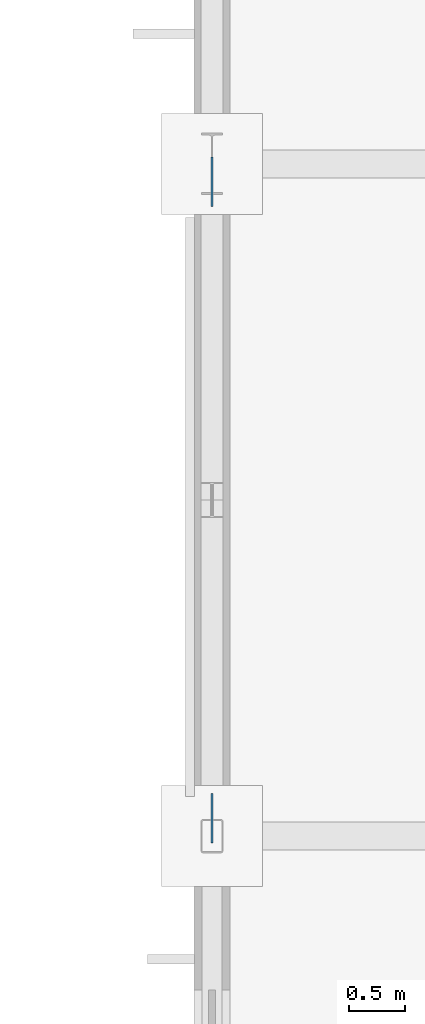
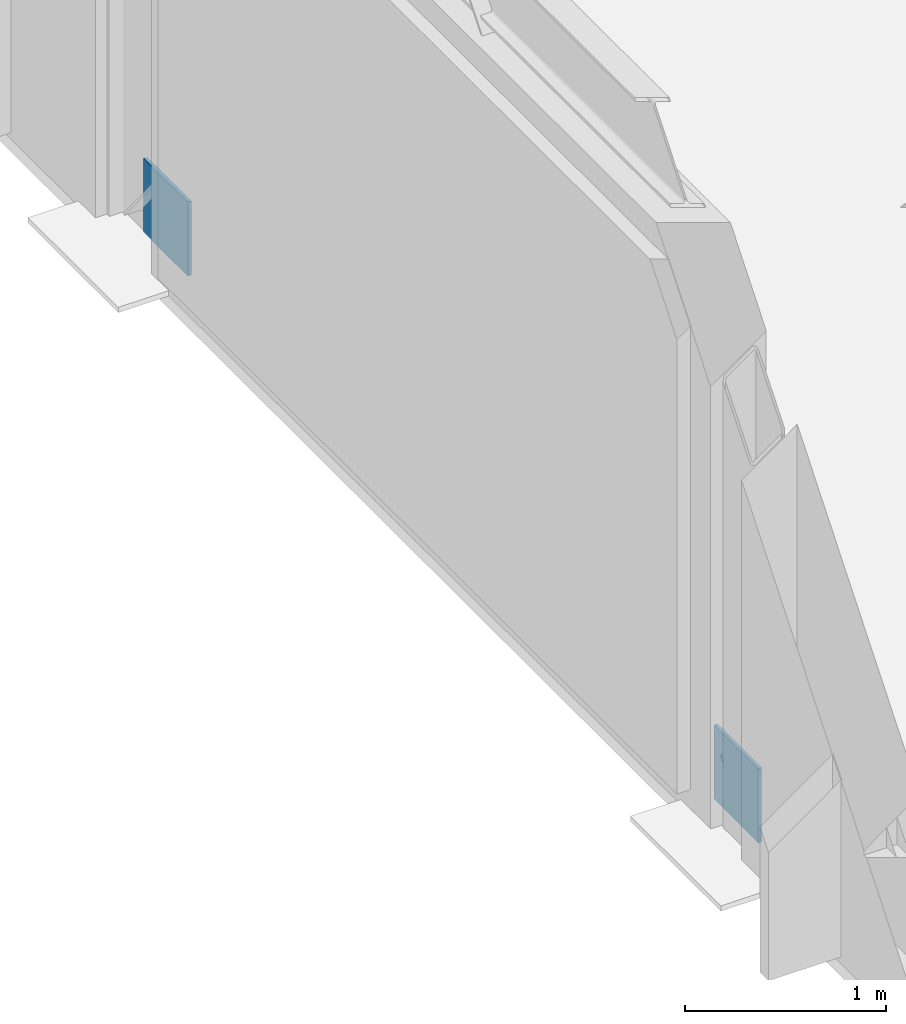
# One storey, part 99 of 116: 2 discrete accessories.
"""IFC4 building model written with IfcOpenShell, lengths in metres."""

from ifc_helpers import new_model, si_unit, direction, frame, origin, origin_2d, place, context, subcontext, project, spatial, rectangle, extrude, material, layer, layer_set, type_object, element, save


model = new_model("IFC4")

# Units and contexts
model_context = context("Model", 3, precision=1e-05, world=origin(), true_north=direction((0.0, 1.0)))
body_context = subcontext(model_context, "Body", "Model", "MODEL_VIEW")
ifc_project = project(units=[si_unit("LENGTHUNIT", "METRE"), si_unit("AREAUNIT", "SQUARE_METRE"), si_unit("VOLUMEUNIT", "CUBIC_METRE"), si_unit("PLANEANGLEUNIT", "RADIAN"), si_unit("MASSUNIT", "GRAM", prefix="KILO")], contexts=[model_context])

# Site, building, storey
site_placement = place(None, origin())
site = spatial("IfcSite", under=ifc_project, at=site_placement, CompositionType="ELEMENT")
building_placement = place(site_placement, origin())
building = spatial("IfcBuilding", under=site, at=building_placement, Name="Varnakota Square Police Headquarters", CompositionType="ELEMENT")
storey_placement = place(building_placement, frame((0.0, 0.0, 9.300048828125)))
storey = spatial("IfcBuildingStorey", under=building, at=storey_placement, Name="L02", CompositionType="ELEMENT", Elevation=9.300048828125)

# Discrete accessories
ifc_material = material(Name="Steel IS 2062 Grade 350", Category="steel")
ifc_layer = layer(ifc_material, 0.64990234375, Name="Steel IS 2062 Grade 350")
ifc_layer_set = layer_set([ifc_layer], Name="Steel IS 2062 Grade 350")
discrete_accessory_type = type_object("IfcDiscreteAccessoryType", Name="ACC-EMB-350", PredefinedType="BRACKET", material=ifc_layer_set)
for number, where, z_axis, x_axis, name in (
    (1, (6.0, 51.159912109375, 0.02490234375), (0.0, 0.0, 1.0), (0.0, 1.0, 0.0), "Brace gusset connection plate BF4 L02 L"),
    (2, (6.0, 56.840087890625, 0.02490234375), (0.0, 0.0, 1.0), (0.0, 1.0, 0.0), "Brace gusset connection plate BF4 L02 R"),
):
    element("IfcDiscreteAccessory", number, at=place(storey_placement, frame(where, z_axis=z_axis, x_axis=x_axis)), inside=storey, type_object=discrete_accessory_type, Name=name, PredefinedType="BRACKET", context=body_context, shape_type="SweptSolid", body=[
        extrude(rectangle(XDim=0.43994140625, YDim=0.02001953125, at=origin_2d()), origin(), (0.0, 0.0, 1.0), 0.449951171875),
    ])

save(model, "model.ifc")
